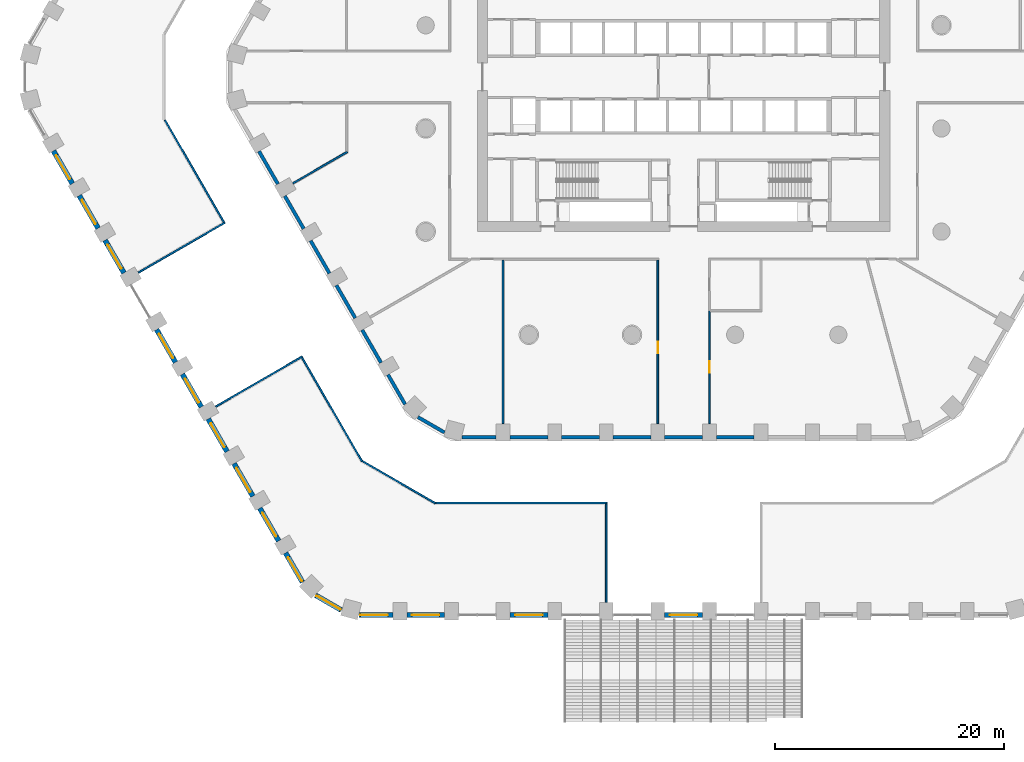
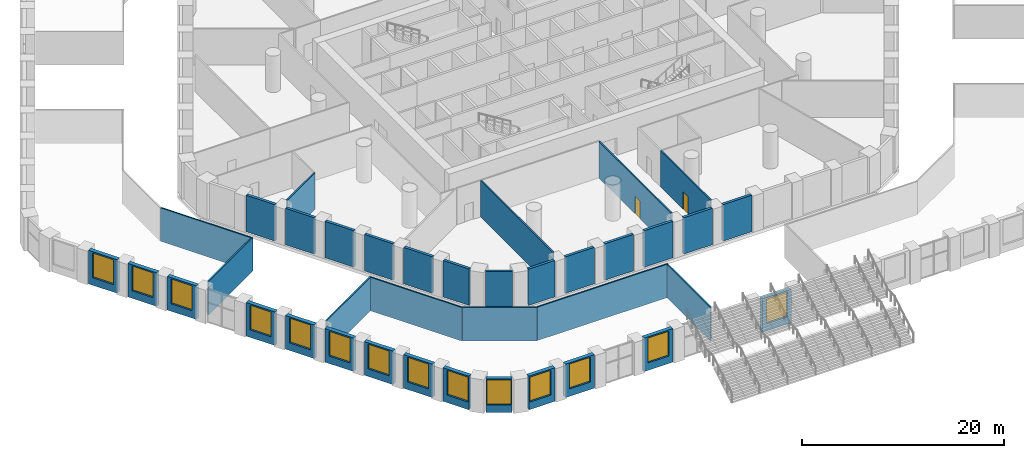
# One storey, part 17 of 42: 38 walls, 14 windows, 2 doors, 16 openings.
"""IFC4 building model written with IfcOpenShell, lengths in metres."""

import ifcopenshell
import ifcopenshell.guid

model = None  # the IFC model being written
_history = None  # IfcOwnerHistory: only IFC2X3 demands one
_inside = {}  # id of a spatial element -> (the spatial element, [elements in it])
_under = {}  # id of a project, library or spatial element -> (it, [spatial elements below it])
_declared = {}  # id of a project -> (the project, [libraries it declares])
_typed = {}  # id of a type object -> (the type object, [elements of that type])
_made_of = {}  # id of a material, layer set ... -> (it, [elements and type objects made of it])


def new_model(schema):
    """Start an empty IFC model of exactly this schema.

    Asked for "IFC4X3", IfcOpenShell would pick the latest addendum, in which some entities
    have other attributes; the version numbers below select the first issue.
    IFC2X3 requires an IfcOwnerHistory on every rooted entity: one is made here for all.
    """
    global model, _history
    if schema == "IFC4X3":
        model = ifcopenshell.file(schema_version=(4, 3, 0, 0))
    else:
        model = ifcopenshell.file(schema=schema)
    _inside.clear()
    _under.clear()
    _declared.clear()
    _typed.clear()
    _made_of.clear()
    _history = None
    if model.schema == "IFC2X3":
        org = make("IfcOrganization", Name="unknown")
        user = make(
            "IfcPersonAndOrganization",
            ThePerson=make("IfcPerson", FamilyName="unknown"),
            TheOrganization=org,
        )
        app = make(
            "IfcApplication",
            ApplicationDeveloper=org,
            Version="unknown",
            ApplicationFullName="unknown",
            ApplicationIdentifier="unknown",
        )
        _history = make(
            "IfcOwnerHistory",
            OwningUser=user,
            OwningApplication=app,
            ChangeAction="ADDED",
            CreationDate=0,
        )
    return model


def make(cls, **values):
    """One entity of the class cls with the attributes given. An attribute that is None is left unset."""
    return model.create_entity(
        cls, **{name: value for name, value in values.items() if value is not None}
    )


def rooted(cls, **values):
    """An entity with a GlobalId (a new one), such as an element, a storey or a relation."""
    return make(cls, GlobalId=ifcopenshell.guid.new(), OwnerHistory=_history, **values)


def si_unit(unit_type, name, prefix=None):
    """IfcSIUnit, for example si_unit("LENGTHUNIT", "METRE", prefix="MILLI")."""
    return make("IfcSIUnit", UnitType=unit_type, Prefix=prefix, Name=name)


def assignment(units):
    """IfcUnitAssignment: the units of a project."""
    return None if units is None else make("IfcUnitAssignment", Units=units)


def point(xyz):
    """IfcCartesianPoint."""
    return None if xyz is None else make("IfcCartesianPoint", Coordinates=xyz)


def direction(xyz):
    """IfcDirection."""
    return None if xyz is None else make("IfcDirection", DirectionRatios=xyz)


def frame(location, z_axis=None, x_axis=None):
    """IfcAxis2Placement3D, a coordinate frame: its origin and axes. An axis left out is left unset."""
    return make(
        "IfcAxis2Placement3D",
        Location=point(location),
        Axis=direction(z_axis),
        RefDirection=direction(x_axis),
    )


def frame_2d(location, x_axis=None):
    """IfcAxis2Placement2D, a coordinate frame in the plane: its origin and x axis."""
    return make(
        "IfcAxis2Placement2D", Location=point(location), RefDirection=direction(x_axis)
    )


def origin():
    """The frame at (0, 0, 0) with its axes left unset."""
    return frame((0.0, 0.0, 0.0))


def place(relative_to, where):
    """IfcLocalPlacement: puts the frame where relative to a parent placement (None: the world)."""
    return make(
        "IfcLocalPlacement", PlacementRelTo=relative_to, RelativePlacement=where
    )


def context(
    kind, dimensions, precision=None, world=None, true_north=None, identifier=None
):
    """IfcGeometricRepresentationContext, for example the 3D "Model" context."""
    return make(
        "IfcGeometricRepresentationContext",
        ContextIdentifier=identifier,
        ContextType=kind,
        CoordinateSpaceDimension=dimensions,
        Precision=precision,
        WorldCoordinateSystem=world,
        TrueNorth=true_north,
    )


def subcontext(parent, identifier, kind, view, scale=None):
    """IfcGeometricRepresentationSubContext, for example "Body" below "Model"."""
    return make(
        "IfcGeometricRepresentationSubContext",
        ContextIdentifier=identifier,
        ContextType=kind,
        ParentContext=parent,
        TargetScale=scale,
        TargetView=view,
    )


def project(units=None, contexts=None):
    """IfcProject with its units and contexts."""
    return rooted(
        "IfcProject",
        Name="project",
        RepresentationContexts=contexts,
        UnitsInContext=assignment(units),
    )


def spatial(cls, under=None, at=None, **own):
    """A site, building, storey or space (cls), placed at a placement, below another one or the project."""
    s = rooted(cls, ObjectPlacement=at, **own)
    if under is not None:
        _under.setdefault(under.id(), (under, []))[1].append(s)
    return s


def profile(cls, at=None, kind="AREA", **sizes):
    """A parametric profile (cls). Its sizes go by their IFC names, for example OverallWidth=200.0."""
    return make(cls, ProfileType=kind, Position=at, **sizes)


def rectangle(**sizes):
    """IfcRectangleProfileDef."""
    return profile("IfcRectangleProfileDef", **sizes)


def extrude(swept, where, along, depth):
    """IfcExtrudedAreaSolid: the profile swept, set in the frame where, extruded along a direction by depth."""
    return make(
        "IfcExtrudedAreaSolid",
        SweptArea=swept,
        Position=where,
        ExtrudedDirection=direction(along),
        Depth=depth,
    )


def shape(context_of_items, identifier, shape_type, items):
    """IfcShapeRepresentation: the items that make up one representation, for example the "Body"."""
    return make(
        "IfcShapeRepresentation",
        ContextOfItems=context_of_items,
        RepresentationIdentifier=identifier,
        RepresentationType=shape_type,
        Items=items,
    )


def material(Name=None, Category=None):
    """IfcMaterial."""
    return make("IfcMaterial", Name=Name, Category=Category)


def layer(
    of_material, thickness, ventilated=None, Name=None, Category=None, Priority=None
):
    """IfcMaterialLayer: one layer of a wall or slab, of a material (None: an air gap)."""
    return make(
        "IfcMaterialLayer",
        Material=of_material,
        LayerThickness=thickness,
        IsVentilated=ventilated,
        Name=Name,
        Category=Category,
        Priority=Priority,
    )


def layer_set(layers, Name=None):
    """IfcMaterialLayerSet."""
    return make("IfcMaterialLayerSet", MaterialLayers=layers, LayerSetName=Name)


def made_of(thing, what):
    """Note that an element or type object is made of a material, layer set ...; save() writes the relation."""
    if what is not None:
        _made_of.setdefault(what.id(), (what, []))[1].append(thing)
    return thing


def type_object(cls, material=None, **own):
    """A type object (cls), such as IfcWallType, which elements share."""
    return made_of(rooted(cls, **own), material)


def element(
    cls,
    number,
    at=None,
    inside=None,
    cuts=None,
    type_object=None,
    material=None,
    context=None,
    identifier="Body",
    shape_type=None,
    held_by="IfcProductDefinitionShape",
    body=None,
    shapes=None,
    **own,
):
    """One element of the class cls, such as IfcWall. Its Tag is "e" and its number.

    at: its placement. inside: the storey or other place that contains it. cuts: it is an
    opening in that element (IfcRelVoidsElement). A single representation is given by context,
    identifier, shape_type and body (its items); several are given by shapes. held_by: the class
    of the entity that holds the representations. save() writes the other relations.
    """
    e = rooted(cls, Tag="e%d" % number, ObjectPlacement=at, **own)
    if body is not None:
        shapes = [shape(context, identifier, shape_type, body)]
    if shapes is not None:
        e.Representation = make(held_by, Representations=shapes)
    if inside is not None:
        _inside.setdefault(inside.id(), (inside, []))[1].append(e)
    if cuts is not None:
        rooted(
            "IfcRelVoidsElement", RelatingBuildingElement=cuts, RelatedOpeningElement=e
        )
    if type_object is not None:
        _typed.setdefault(type_object.id(), (type_object, []))[1].append(e)
    return made_of(e, material)


def fill(opening, filler):
    """IfcRelFillsElement: the door or window that sits in an opening."""
    return rooted(
        "IfcRelFillsElement",
        RelatingOpeningElement=opening,
        RelatedBuildingElement=filler,
    )


def aggregate(whole, parts):
    """IfcRelAggregates: a whole, such as a stair, and the parts it consists of."""
    return rooted("IfcRelAggregates", RelatingObject=whole, RelatedObjects=parts)


def save(model, path):
    """Write the relations noted so far, then the file.

    IfcRelAggregates (storeys below a building ...), IfcRelContainedInSpatialStructure (elements
    in a storey), IfcRelDefinesByType, IfcRelAssociatesMaterial and IfcRelDeclares: one each for
    every whole, place, type object, material and project.
    """
    for whole, parts in _under.values():
        aggregate(whole, parts)
    for where, things in _inside.values():
        rooted(
            "IfcRelContainedInSpatialStructure",
            RelatedElements=things,
            RelatingStructure=where,
        )
    for kind, things in _typed.values():
        rooted("IfcRelDefinesByType", RelatedObjects=things, RelatingType=kind)
    for what, things in _made_of.values():
        rooted("IfcRelAssociatesMaterial", RelatedObjects=things, RelatingMaterial=what)
    for by, libraries in _declared.values():
        rooted("IfcRelDeclares", RelatingContext=by, RelatedDefinitions=libraries)
    model.write(path)


model = new_model("IFC4")

# Units and contexts
model_context = context("Model", 3, precision=1e-05, world=origin(), true_north=direction((0.0, 1.0)))
body_context = subcontext(model_context, "Body", "Model", "MODEL_VIEW")
ifc_project = project(units=[si_unit("LENGTHUNIT", "METRE"), si_unit("AREAUNIT", "SQUARE_METRE"), si_unit("VOLUMEUNIT", "CUBIC_METRE"), si_unit("PLANEANGLEUNIT", "RADIAN"), si_unit("MASSUNIT", "GRAM", prefix="KILO")], contexts=[model_context])

# Site, building, storey
site_placement = place(None, origin())
site = spatial("IfcSite", under=ifc_project, at=site_placement, CompositionType="ELEMENT")
building_placement = place(site_placement, origin())
building = spatial("IfcBuilding", under=site, at=building_placement, Name="Dhurran Vertical Campus", CompositionType="ELEMENT")
storey_placement = place(building_placement, frame((0.0, 0.0, 6.0)))
storey = spatial("IfcBuildingStorey", under=building, at=storey_placement, Name="L01", CompositionType="ELEMENT", Elevation=6.0)

# Wall, opening, window
ifc_material_1 = material(Name="Precast concrete C50/60", Category="concrete")
ifc_layer_1 = layer(ifc_material_1, 0.449951171875)
ifc_layer_set_1 = layer_set([ifc_layer_1], Name="Precast concrete C50/60")
wall_type_1 = type_object("IfcWallType", Name="Precast base wall 450", PredefinedType="SOLIDWALL", material=ifc_layer_set_1)
wall_1_placement = place(storey_placement, frame((-28.299072265625, -46.943359375, 0.0), z_axis=(0.0, 0.0, 1.0), x_axis=(1.0, 0.0, 0.0)))
wall_1 = element("IfcWall", 1, at=wall_1_placement, inside=storey, type_object=wall_type_1, Name="EW2 L01.00 ring", PredefinedType="SOLIDWALL", context=body_context, shape_type="SweptSolid", body=[
    extrude(rectangle(XDim=2.948486328125, YDim=0.449951171875, at=frame_2d((1.47412109375, 0.0))), origin(), (0.0, 0.0, 1.0), 4.050048828125),
])
opening_1_placement = place(wall_1_placement, frame((0.09912109375, 0.0, 0.89990234375)))
opening_1 = element("IfcOpeningElement", 2, at=opening_1_placement, cuts=wall_1, Name="Opening WT2", PredefinedType="OPENING", context=body_context, shape_type="SweptSolid", body=[
    extrude(rectangle(XDim=2.39990234375, YDim=3.0, at=frame_2d((1.199951171875, 1.5))), frame((0.0, 0.23486328125, 0.0), z_axis=(0.0, -1.0, 0.0), x_axis=(1.0, 0.0, 0.0)), (0.0, 0.0, 1.0), 0.469970703125),
])
ifc_material_2 = material(Name="Aluminium frame with solar-control glass", Category="aluminium")
window_type = type_object("IfcWindowType", Name="Podium window 2400 x 3000", PartitioningType="SINGLE_PANEL", PredefinedType="WINDOW", material=ifc_material_2)
window_1_placement = place(opening_1_placement, origin())
window_1 = element("IfcWindow", 3, at=window_1_placement, inside=storey, type_object=window_type, Name="WT2 L01.00 ring", OverallHeight=3.0, OverallWidth=2.39990234375, PartitioningType="SINGLE_PANEL", PredefinedType="WINDOW", context=body_context, shape_type="SweptSolid", body=[
    extrude(rectangle(XDim=2.39990234375, YDim=3.0, at=frame_2d((1.199951171875, 1.5))), frame((0.0, 0.030029296875, 0.0), z_axis=(0.0, -1.0, 0.0), x_axis=(1.0, 0.0, 0.0)), (0.0, 0.0, 1.0), 0.06005859375),
])
fill(opening_1, window_1)

wall_2_placement = place(storey_placement, frame((-24.1494140625, -46.943359375, 0.0), z_axis=(0.0, 0.0, 1.0), x_axis=(1.0, 0.0, 0.0)))
wall_2 = element("IfcWall", 4, at=wall_2_placement, inside=storey, type_object=wall_type_1, Name="EW2 L01.01 ring", PredefinedType="SOLIDWALL", context=body_context, shape_type="SweptSolid", body=[
    extrude(rectangle(XDim=3.298828125, YDim=0.449951171875, at=frame_2d((1.6494140625, 0.0))), origin(), (0.0, 0.0, 1.0), 4.050048828125),
])
opening_2_placement = place(wall_2_placement, frame((0.449462890625, 0.0, 0.89990234375)))
opening_2 = element("IfcOpeningElement", 5, at=opening_2_placement, cuts=wall_2, Name="Opening WT2", PredefinedType="OPENING", context=body_context, shape_type="SweptSolid", body=[
    extrude(rectangle(XDim=2.39990234375, YDim=3.0, at=frame_2d((1.199951171875, 1.5))), frame((0.0, 0.23486328125, 0.0), z_axis=(0.0, -1.0, 0.0), x_axis=(1.0, 0.0, 0.0)), (0.0, 0.0, 1.0), 0.469970703125),
])
window_2_placement = place(opening_2_placement, origin())
window_2 = element("IfcWindow", 6, at=window_2_placement, inside=storey, type_object=window_type, Name="WT2 L01.01 ring", OverallHeight=3.0, OverallWidth=2.39990234375, PartitioningType="SINGLE_PANEL", PredefinedType="WINDOW", context=body_context, shape_type="SweptSolid", body=[
    extrude(rectangle(XDim=2.39990234375, YDim=3.0, at=frame_2d((1.199951171875, 1.5))), frame((0.0, 0.030029296875, 0.0), z_axis=(0.0, -1.0, 0.0), x_axis=(1.0, 0.0, 0.0)), (0.0, 0.0, 1.0), 0.06005859375),
])
fill(opening_2, window_2)

wall_3_placement = place(storey_placement, frame((-11.8505859375, -46.943359375, 0.0), z_axis=(0.0, 0.0, 1.0), x_axis=(-1.0, 0.0, 0.0)))
wall_3 = element("IfcWall", 7, at=wall_3_placement, inside=storey, type_object=wall_type_1, Name="EW2 L01.03 ring", PredefinedType="SOLIDWALL", context=body_context, shape_type="SweptSolid", body=[
    extrude(rectangle(XDim=3.298828125, YDim=0.449951171875, at=frame_2d((1.6494140625, 0.0))), origin(), (0.0, 0.0, 1.0), 4.050048828125),
])
opening_3_placement = place(wall_3_placement, frame((0.449462890625, 0.0, 0.89990234375)))
opening_3 = element("IfcOpeningElement", 8, at=opening_3_placement, cuts=wall_3, Name="Opening WT2", PredefinedType="OPENING", context=body_context, shape_type="SweptSolid", body=[
    extrude(rectangle(XDim=2.39990234375, YDim=3.0, at=frame_2d((1.199951171875, 1.5))), frame((0.0, 0.23486328125, 0.0), z_axis=(0.0, -1.0, 0.0), x_axis=(1.0, 0.0, 0.0)), (0.0, 0.0, 1.0), 0.469970703125),
])
window_3_placement = place(opening_3_placement, origin())
window_3 = element("IfcWindow", 9, at=window_3_placement, inside=storey, type_object=window_type, Name="WT2 L01.03 ring", OverallHeight=3.0, OverallWidth=2.39990234375, PartitioningType="SINGLE_PANEL", PredefinedType="WINDOW", context=body_context, shape_type="SweptSolid", body=[
    extrude(rectangle(XDim=2.39990234375, YDim=3.0, at=frame_2d((1.199951171875, 1.5))), frame((0.0, 0.030029296875, 0.0), z_axis=(0.0, -1.0, 0.0), x_axis=(1.0, 0.0, 0.0)), (0.0, 0.0, 1.0), 0.06005859375),
])
fill(opening_3, window_3)

wall_4_placement = place(storey_placement, frame((1.6494140625, -46.943359375, 0.0), z_axis=(0.0, 0.0, 1.0), x_axis=(-1.0, 0.0, 0.0)))
wall_4 = element("IfcWall", 10, at=wall_4_placement, inside=storey, type_object=wall_type_1, Name="EW2 L01.06 ring", PredefinedType="SOLIDWALL", context=body_context, shape_type="SweptSolid", body=[
    extrude(rectangle(XDim=3.298828125, YDim=0.449951171875, at=frame_2d((1.6494140625, 0.0))), origin(), (0.0, 0.0, 1.0), 4.050048828125),
])
opening_4_placement = place(wall_4_placement, frame((0.449462890625, 0.0, 0.89990234375)))
opening_4 = element("IfcOpeningElement", 11, at=opening_4_placement, cuts=wall_4, Name="Opening WT2", PredefinedType="OPENING", context=body_context, shape_type="SweptSolid", body=[
    extrude(rectangle(XDim=2.39990234375, YDim=3.0, at=frame_2d((1.199951171875, 1.5))), frame((0.0, 0.23486328125, 0.0), z_axis=(0.0, -1.0, 0.0), x_axis=(1.0, 0.0, 0.0)), (0.0, 0.0, 1.0), 0.469970703125),
])
window_4_placement = place(opening_4_placement, origin())
window_4 = element("IfcWindow", 12, at=window_4_placement, inside=storey, type_object=window_type, Name="WT2 L01.06 ring", OverallHeight=3.0, OverallWidth=2.39990234375, PartitioningType="SINGLE_PANEL", PredefinedType="WINDOW", context=body_context, shape_type="SweptSolid", body=[
    extrude(rectangle(XDim=2.39990234375, YDim=3.0, at=frame_2d((1.199951171875, 1.5))), frame((0.0, 0.030029296875, 0.0), z_axis=(0.0, -1.0, 0.0), x_axis=(1.0, 0.0, 0.0)), (0.0, 0.0, 1.0), 0.06005859375),
])
fill(opening_4, window_4)

wall_5_placement = place(storey_placement, frame((-54.978759765625, -6.45458984375, 0.0), z_axis=(0.0, 0.0, 1.0), x_axis=(0.49995947208, -0.866048801325, 0.0)))
wall_5 = element("IfcWall", 13, at=wall_5_placement, inside=storey, type_object=wall_type_1, Name="EW2 L01.65 ring", PredefinedType="SOLIDWALL", context=body_context, shape_type="SweptSolid", body=[
    extrude(rectangle(XDim=3.299072265625, YDim=0.449951171875, at=frame_2d((1.6494140625, 0.0))), origin(), (0.0, 0.0, 1.0), 4.050048828125),
])
opening_5_placement = place(wall_5_placement, frame((0.449462890625, 0.0, 0.89990234375)))
opening_5 = element("IfcOpeningElement", 14, at=opening_5_placement, cuts=wall_5, Name="Opening WT2", PredefinedType="OPENING", context=body_context, shape_type="SweptSolid", body=[
    extrude(rectangle(XDim=2.39990234375, YDim=3.0, at=frame_2d((1.199951171875, 1.5))), frame((0.0, 0.23486328125, 0.0), z_axis=(0.0, -1.0, 0.0), x_axis=(1.0, 0.0, 0.0)), (0.0, 0.0, 1.0), 0.469970703125),
])
window_5_placement = place(opening_5_placement, origin())
window_5 = element("IfcWindow", 15, at=window_5_placement, inside=storey, type_object=window_type, Name="WT2 L01.65 ring", OverallHeight=3.0, OverallWidth=2.39990234375, PartitioningType="SINGLE_PANEL", PredefinedType="WINDOW", context=body_context, shape_type="SweptSolid", body=[
    extrude(rectangle(XDim=2.39990234375, YDim=3.0, at=frame_2d((1.199951171875, 1.5))), frame((0.0, 0.030029296875, 0.0), z_axis=(0.0, -1.0, 0.0), x_axis=(1.0, 0.0, 0.0)), (0.0, 0.0, 1.0), 0.06005859375),
])
fill(opening_5, window_5)

wall_6_placement = place(storey_placement, frame((-52.728759765625, -10.351806640625, 0.0), z_axis=(0.0, 0.0, 1.0), x_axis=(0.499991515992, -0.866030301974, 0.0)))
wall_6 = element("IfcWall", 16, at=wall_6_placement, inside=storey, type_object=wall_type_1, Name="EW2 L01.66 ring", PredefinedType="SOLIDWALL", context=body_context, shape_type="SweptSolid", body=[
    extrude(rectangle(XDim=3.298828125, YDim=0.449951171875, at=frame_2d((1.6494140625, 0.0))), origin(), (0.0, 0.0, 1.0), 4.050048828125),
])
opening_6_placement = place(wall_6_placement, frame((0.449462890625, 0.0, 0.89990234375)))
opening_6 = element("IfcOpeningElement", 17, at=opening_6_placement, cuts=wall_6, Name="Opening WT2", PredefinedType="OPENING", context=body_context, shape_type="SweptSolid", body=[
    extrude(rectangle(XDim=2.39990234375, YDim=3.0, at=frame_2d((1.199951171875, 1.5))), frame((0.0, 0.23486328125, 0.0), z_axis=(0.0, -1.0, 0.0), x_axis=(1.0, 0.0, 0.0)), (0.0, 0.0, 1.0), 0.469970703125),
])
window_6_placement = place(opening_6_placement, origin())
window_6 = element("IfcWindow", 18, at=window_6_placement, inside=storey, type_object=window_type, Name="WT2 L01.66 ring", OverallHeight=3.0, OverallWidth=2.39990234375, PartitioningType="SINGLE_PANEL", PredefinedType="WINDOW", context=body_context, shape_type="SweptSolid", body=[
    extrude(rectangle(XDim=2.39990234375, YDim=3.0, at=frame_2d((1.199951171875, 1.5))), frame((0.0, 0.030029296875, 0.0), z_axis=(0.0, -1.0, 0.0), x_axis=(1.0, 0.0, 0.0)), (0.0, 0.0, 1.0), 0.06005859375),
])
fill(opening_6, window_6)

wall_7_placement = place(storey_placement, frame((-50.478759765625, -14.248779296875, 0.0), z_axis=(0.0, 0.0, 1.0), x_axis=(0.49995947208, -0.866048801325, 0.0)))
wall_7 = element("IfcWall", 19, at=wall_7_placement, inside=storey, type_object=wall_type_1, Name="EW2 L01.67 ring", PredefinedType="SOLIDWALL", context=body_context, shape_type="SweptSolid", body=[
    extrude(rectangle(XDim=3.299072265625, YDim=0.449951171875, at=frame_2d((1.6494140625, 0.0))), origin(), (0.0, 0.0, 1.0), 4.050048828125),
])
opening_7_placement = place(wall_7_placement, frame((0.449462890625, 0.0, 0.89990234375)))
opening_7 = element("IfcOpeningElement", 20, at=opening_7_placement, cuts=wall_7, Name="Opening WT2", PredefinedType="OPENING", context=body_context, shape_type="SweptSolid", body=[
    extrude(rectangle(XDim=2.39990234375, YDim=3.0, at=frame_2d((1.199951171875, 1.5))), frame((0.0, 0.23486328125, 0.0), z_axis=(0.0, -1.0, 0.0), x_axis=(1.0, 0.0, 0.0)), (0.0, 0.0, 1.0), 0.469970703125),
])
window_7_placement = place(opening_7_placement, origin())
window_7 = element("IfcWindow", 21, at=window_7_placement, inside=storey, type_object=window_type, Name="WT2 L01.67 ring", OverallHeight=3.0, OverallWidth=2.39990234375, PartitioningType="SINGLE_PANEL", PredefinedType="WINDOW", context=body_context, shape_type="SweptSolid", body=[
    extrude(rectangle(XDim=2.39990234375, YDim=3.0, at=frame_2d((1.199951171875, 1.5))), frame((0.0, 0.030029296875, 0.0), z_axis=(0.0, -1.0, 0.0), x_axis=(1.0, 0.0, 0.0)), (0.0, 0.0, 1.0), 0.06005859375),
])
fill(opening_7, window_7)

wall_8_placement = place(storey_placement, frame((-44.329345703125, -24.900146484375, 0.0), z_axis=(0.0, 0.0, 1.0), x_axis=(-0.499991515992, 0.866030301974, 0.0)))
wall_8 = element("IfcWall", 22, at=wall_8_placement, inside=storey, type_object=wall_type_1, Name="EW2 L01.69 ring", PredefinedType="SOLIDWALL", context=body_context, shape_type="SweptSolid", body=[
    extrude(rectangle(XDim=3.298828125, YDim=0.449951171875, at=frame_2d((1.6494140625, 0.0))), origin(), (0.0, 0.0, 1.0), 4.050048828125),
])
opening_8_placement = place(wall_8_placement, frame((0.449462890625, 0.0, 0.89990234375)))
opening_8 = element("IfcOpeningElement", 23, at=opening_8_placement, cuts=wall_8, Name="Opening WT2", PredefinedType="OPENING", context=body_context, shape_type="SweptSolid", body=[
    extrude(rectangle(XDim=2.39990234375, YDim=3.0, at=frame_2d((1.199951171875, 1.5))), frame((0.0, 0.23486328125, 0.0), z_axis=(0.0, -1.0, 0.0), x_axis=(1.0, 0.0, 0.0)), (0.0, 0.0, 1.0), 0.469970703125),
])
window_8_placement = place(opening_8_placement, origin())
window_8 = element("IfcWindow", 24, at=window_8_placement, inside=storey, type_object=window_type, Name="WT2 L01.69 ring", OverallHeight=3.0, OverallWidth=2.39990234375, PartitioningType="SINGLE_PANEL", PredefinedType="WINDOW", context=body_context, shape_type="SweptSolid", body=[
    extrude(rectangle(XDim=2.39990234375, YDim=3.0, at=frame_2d((1.199951171875, 1.5))), frame((0.0, 0.030029296875, 0.0), z_axis=(0.0, -1.0, 0.0), x_axis=(1.0, 0.0, 0.0)), (0.0, 0.0, 1.0), 0.06005859375),
])
fill(opening_8, window_8)

wall_9_placement = place(storey_placement, frame((-43.728759765625, -25.940185546875, 0.0), z_axis=(0.0, 0.0, 1.0), x_axis=(0.49995947208, -0.866048801325, 0.0)))
wall_9 = element("IfcWall", 25, at=wall_9_placement, inside=storey, type_object=wall_type_1, Name="EW2 L01.70 ring", PredefinedType="SOLIDWALL", context=body_context, shape_type="SweptSolid", body=[
    extrude(rectangle(XDim=3.299072265625, YDim=0.449951171875, at=frame_2d((1.6494140625, 0.0))), origin(), (0.0, 0.0, 1.0), 4.050048828125),
])
opening_9_placement = place(wall_9_placement, frame((0.449462890625, 0.0, 0.89990234375)))
opening_9 = element("IfcOpeningElement", 26, at=opening_9_placement, cuts=wall_9, Name="Opening WT2", PredefinedType="OPENING", context=body_context, shape_type="SweptSolid", body=[
    extrude(rectangle(XDim=2.39990234375, YDim=3.0, at=frame_2d((1.199951171875, 1.5))), frame((0.0, 0.23486328125, 0.0), z_axis=(0.0, -1.0, 0.0), x_axis=(1.0, 0.0, 0.0)), (0.0, 0.0, 1.0), 0.469970703125),
])
window_9_placement = place(opening_9_placement, origin())
window_9 = element("IfcWindow", 27, at=window_9_placement, inside=storey, type_object=window_type, Name="WT2 L01.70 ring", OverallHeight=3.0, OverallWidth=2.39990234375, PartitioningType="SINGLE_PANEL", PredefinedType="WINDOW", context=body_context, shape_type="SweptSolid", body=[
    extrude(rectangle(XDim=2.39990234375, YDim=3.0, at=frame_2d((1.199951171875, 1.5))), frame((0.0, 0.030029296875, 0.0), z_axis=(0.0, -1.0, 0.0), x_axis=(1.0, 0.0, 0.0)), (0.0, 0.0, 1.0), 0.06005859375),
])
fill(opening_9, window_9)

wall_10_placement = place(storey_placement, frame((-41.478759765625, -29.83740234375, 0.0), z_axis=(0.0, 0.0, 1.0), x_axis=(0.499991515992, -0.866030301974, 0.0)))
wall_10 = element("IfcWall", 28, at=wall_10_placement, inside=storey, type_object=wall_type_1, Name="EW2 L01.71 ring", PredefinedType="SOLIDWALL", context=body_context, shape_type="SweptSolid", body=[
    extrude(rectangle(XDim=3.298828125, YDim=0.449951171875, at=frame_2d((1.6494140625, 0.0))), origin(), (0.0, 0.0, 1.0), 4.050048828125),
])
opening_10_placement = place(wall_10_placement, frame((0.449462890625, 0.0, 0.89990234375)))
opening_10 = element("IfcOpeningElement", 29, at=opening_10_placement, cuts=wall_10, Name="Opening WT2", PredefinedType="OPENING", context=body_context, shape_type="SweptSolid", body=[
    extrude(rectangle(XDim=2.39990234375, YDim=3.0, at=frame_2d((1.199951171875, 1.5))), frame((0.0, 0.23486328125, 0.0), z_axis=(0.0, -1.0, 0.0), x_axis=(1.0, 0.0, 0.0)), (0.0, 0.0, 1.0), 0.469970703125),
])
window_10_placement = place(opening_10_placement, origin())
window_10 = element("IfcWindow", 30, at=window_10_placement, inside=storey, type_object=window_type, Name="WT2 L01.71 ring", OverallHeight=3.0, OverallWidth=2.39990234375, PartitioningType="SINGLE_PANEL", PredefinedType="WINDOW", context=body_context, shape_type="SweptSolid", body=[
    extrude(rectangle(XDim=2.39990234375, YDim=3.0, at=frame_2d((1.199951171875, 1.5))), frame((0.0, 0.030029296875, 0.0), z_axis=(0.0, -1.0, 0.0), x_axis=(1.0, 0.0, 0.0)), (0.0, 0.0, 1.0), 0.06005859375),
])
fill(opening_10, window_10)

wall_11_placement = place(storey_placement, frame((-39.228759765625, -33.734619140625, 0.0), z_axis=(0.0, 0.0, 1.0), x_axis=(0.499991515992, -0.866030301974, 0.0)))
wall_11 = element("IfcWall", 31, at=wall_11_placement, inside=storey, type_object=wall_type_1, Name="EW2 L01.72 ring", PredefinedType="SOLIDWALL", context=body_context, shape_type="SweptSolid", body=[
    extrude(rectangle(XDim=3.298828125, YDim=0.449951171875, at=frame_2d((1.6494140625, 0.0))), origin(), (0.0, 0.0, 1.0), 4.050048828125),
])
opening_11_placement = place(wall_11_placement, frame((0.449462890625, 0.0, 0.89990234375)))
opening_11 = element("IfcOpeningElement", 32, at=opening_11_placement, cuts=wall_11, Name="Opening WT2", PredefinedType="OPENING", context=body_context, shape_type="SweptSolid", body=[
    extrude(rectangle(XDim=2.39990234375, YDim=3.0, at=frame_2d((1.199951171875, 1.5))), frame((0.0, 0.23486328125, 0.0), z_axis=(0.0, -1.0, 0.0), x_axis=(1.0, 0.0, 0.0)), (0.0, 0.0, 1.0), 0.469970703125),
])
window_11_placement = place(opening_11_placement, origin())
window_11 = element("IfcWindow", 33, at=window_11_placement, inside=storey, type_object=window_type, Name="WT2 L01.72 ring", OverallHeight=3.0, OverallWidth=2.39990234375, PartitioningType="SINGLE_PANEL", PredefinedType="WINDOW", context=body_context, shape_type="SweptSolid", body=[
    extrude(rectangle(XDim=2.39990234375, YDim=3.0, at=frame_2d((1.199951171875, 1.5))), frame((0.0, 0.030029296875, 0.0), z_axis=(0.0, -1.0, 0.0), x_axis=(1.0, 0.0, 0.0)), (0.0, 0.0, 1.0), 0.06005859375),
])
fill(opening_11, window_11)

wall_12_placement = place(storey_placement, frame((-36.978759765625, -37.631591796875, 0.0), z_axis=(0.0, 0.0, 1.0), x_axis=(0.499991515992, -0.866030301974, 0.0)))
wall_12 = element("IfcWall", 34, at=wall_12_placement, inside=storey, type_object=wall_type_1, Name="EW2 L01.73 ring", PredefinedType="SOLIDWALL", context=body_context, shape_type="SweptSolid", body=[
    extrude(rectangle(XDim=3.298828125, YDim=0.449951171875, at=frame_2d((1.6494140625, 0.0))), origin(), (0.0, 0.0, 1.0), 4.050048828125),
])
opening_12_placement = place(wall_12_placement, frame((0.449462890625, 0.0, 0.89990234375)))
opening_12 = element("IfcOpeningElement", 35, at=opening_12_placement, cuts=wall_12, Name="Opening WT2", PredefinedType="OPENING", context=body_context, shape_type="SweptSolid", body=[
    extrude(rectangle(XDim=2.39990234375, YDim=3.0, at=frame_2d((1.199951171875, 1.5))), frame((0.0, 0.23486328125, 0.0), z_axis=(0.0, -1.0, 0.0), x_axis=(1.0, 0.0, 0.0)), (0.0, 0.0, 1.0), 0.469970703125),
])
window_12_placement = place(opening_12_placement, origin())
window_12 = element("IfcWindow", 36, at=window_12_placement, inside=storey, type_object=window_type, Name="WT2 L01.73 ring", OverallHeight=3.0, OverallWidth=2.39990234375, PartitioningType="SINGLE_PANEL", PredefinedType="WINDOW", context=body_context, shape_type="SweptSolid", body=[
    extrude(rectangle(XDim=2.39990234375, YDim=3.0, at=frame_2d((1.199951171875, 1.5))), frame((0.0, 0.030029296875, 0.0), z_axis=(0.0, -1.0, 0.0), x_axis=(1.0, 0.0, 0.0)), (0.0, 0.0, 1.0), 0.06005859375),
])
fill(opening_12, window_12)

wall_13_placement = place(storey_placement, frame((-34.728759765625, -41.52880859375, 0.0), z_axis=(0.0, 0.0, 1.0), x_axis=(0.500030648271, -0.866007708274, 0.0)))
wall_13 = element("IfcWall", 37, at=wall_13_placement, inside=storey, type_object=wall_type_1, Name="EW2 L01.74 ring", PredefinedType="SOLIDWALL", context=body_context, shape_type="SweptSolid", body=[
    extrude(rectangle(XDim=2.948486328125, YDim=0.449951171875, at=frame_2d((1.47412109375, 0.0))), origin(), (0.0, 0.0, 1.0), 4.050048828125),
])
opening_13_placement = place(wall_13_placement, frame((0.449462890625, 0.0, 0.89990234375)))
opening_13 = element("IfcOpeningElement", 38, at=opening_13_placement, cuts=wall_13, Name="Opening WT2", PredefinedType="OPENING", context=body_context, shape_type="SweptSolid", body=[
    extrude(rectangle(XDim=2.39990234375, YDim=3.0, at=frame_2d((1.199951171875, 1.5))), frame((0.0, 0.23486328125, 0.0), z_axis=(0.0, -1.0, 0.0), x_axis=(1.0, 0.0, 0.0)), (0.0, 0.0, 1.0), 0.469970703125),
])
window_13_placement = place(opening_13_placement, origin())
window_13 = element("IfcWindow", 39, at=window_13_placement, inside=storey, type_object=window_type, Name="WT2 L01.74 ring", OverallHeight=3.0, OverallWidth=2.39990234375, PartitioningType="SINGLE_PANEL", PredefinedType="WINDOW", context=body_context, shape_type="SweptSolid", body=[
    extrude(rectangle(XDim=2.39990234375, YDim=3.0, at=frame_2d((1.199951171875, 1.5))), frame((0.0, 0.030029296875, 0.0), z_axis=(0.0, -1.0, 0.0), x_axis=(1.0, 0.0, 0.0)), (0.0, 0.0, 1.0), 0.06005859375),
])
fill(opening_13, window_13)

wall_14_placement = place(storey_placement, frame((-32.111083984375, -45.2255859375, 0.0), z_axis=(0.0, 0.0, 1.0), x_axis=(0.866019710441, -0.50000986103, 0.0)))
wall_14 = element("IfcWall", 40, at=wall_14_placement, inside=storey, type_object=wall_type_1, Name="EW2 L01.75 ring", PredefinedType="SOLIDWALL", context=body_context, shape_type="SweptSolid", body=[
    extrude(rectangle(XDim=2.59814453125, YDim=0.449951171875, at=frame_2d((1.299072265625, 0.0))), origin(), (0.0, 0.0, 1.0), 4.050048828125),
])
opening_14_placement = place(wall_14_placement, frame((0.09912109375, 0.0, 0.89990234375)))
opening_14 = element("IfcOpeningElement", 41, at=opening_14_placement, cuts=wall_14, Name="Opening WT2", PredefinedType="OPENING", context=body_context, shape_type="SweptSolid", body=[
    extrude(rectangle(XDim=2.39990234375, YDim=3.0, at=frame_2d((1.199951171875, 1.5))), frame((0.0, 0.23486328125, 0.0), z_axis=(0.0, -1.0, 0.0), x_axis=(1.0, 0.0, 0.0)), (0.0, 0.0, 1.0), 0.469970703125),
])
window_14_placement = place(opening_14_placement, origin())
window_14 = element("IfcWindow", 42, at=window_14_placement, inside=storey, type_object=window_type, Name="WT2 L01.75 ring", OverallHeight=3.0, OverallWidth=2.39990234375, PartitioningType="SINGLE_PANEL", PredefinedType="WINDOW", context=body_context, shape_type="SweptSolid", body=[
    extrude(rectangle(XDim=2.39990234375, YDim=3.0, at=frame_2d((1.199951171875, 1.5))), frame((0.0, 0.030029296875, 0.0), z_axis=(0.0, -1.0, 0.0), x_axis=(1.0, 0.0, 0.0)), (0.0, 0.0, 1.0), 0.06005859375),
])
fill(opening_14, window_14)

# Walls
ifc_material_3 = material(Name="Precast concrete C50/60", Category="concrete")
ifc_layer_2 = layer(ifc_material_3, 0.300048828125)
ifc_layer_set_2 = layer_set([ifc_layer_2], Name="Precast concrete C50/60")
wall_type_2 = type_object("IfcWallType", Name="Precast interior wall 300", PredefinedType="SOLIDWALL", material=ifc_layer_set_2)
wall_15_placement = place(storey_placement, frame((-19.33935546875, -31.4296875, 0.0), z_axis=(0.0, 0.0, 1.0), x_axis=(1.0, 0.0, 0.0)))
element("IfcWall", 43, at=wall_15_placement, inside=storey, type_object=wall_type_2, Name="EW5 L01.00", PredefinedType="SOLIDWALL", context=body_context, shape_type="SweptSolid", body=[
    extrude(rectangle(XDim=2.98876953125, YDim=0.300048828125, at=frame_2d((1.494384765625, 0.0))), origin(), (0.0, 0.0, 1.0), 4.39990234375),
])
for number, where, z_axis, x_axis, name in (
    (44, (-15.1494140625, -31.4296875, 0.0), (0.0, 0.0, 1.0), (1.0, 0.0, 0.0), "EW5 L01.01"),
    (45, (-10.6494140625, -31.4296875, 0.0), (0.0, 0.0, 1.0), (1.0, 0.0, 0.0), "EW5 L01.02"),
    (46, (-6.1494140625, -31.4296875, 0.0), (0.0, 0.0, 1.0), (1.0, 0.0, 0.0), "EW5 L01.03"),
    (47, (-1.6494140625, -31.4296875, 0.0), (0.0, 0.0, 1.0), (1.0, 0.0, 0.0), "EW5 L01.04"),
    (48, (2.8505859375, -31.4296875, 0.0), (0.0, 0.0, 1.0), (1.0, 0.0, 0.0), "EW5 L01.05"),
    (49, (-37.043701171875, -6.4921875, 0.0), (0.0, 0.0, 1.0), (0.499991515992, -0.866030301974, 0.0), "EW5 L01.45"),
    (50, (-34.793701171875, -10.389404296875, 0.0), (0.0, 0.0, 1.0), (0.499991515992, -0.866030301974, 0.0), "EW5 L01.46"),
    (51, (-32.543701171875, -14.286376953125, 0.0), (0.0, 0.0, 1.0), (0.499991515992, -0.866030301974, 0.0), "EW5 L01.47"),
    (52, (-30.293701171875, -18.18359375, 0.0), (0.0, 0.0, 1.0), (0.499991515992, -0.866030301974, 0.0), "EW5 L01.48"),
    (53, (-28.043701171875, -22.08056640625, 0.0), (0.0, 0.0, 1.0), (0.499991515992, -0.866030301974, 0.0), "EW5 L01.49"),
):
    element("IfcWall", number, at=place(storey_placement, frame(where, z_axis=z_axis, x_axis=x_axis)), inside=storey, type_object=wall_type_2, Name=name, PredefinedType="SOLIDWALL", context=body_context, shape_type="SweptSolid", body=[
        extrude(rectangle(XDim=3.298828125, YDim=0.300048828125, at=frame_2d((1.6494140625, 0.0))), origin(), (0.0, 0.0, 1.0), 4.39990234375),
    ])
wall_16_placement = place(storey_placement, frame((-25.793701171875, -25.977783203125, 0.0), z_axis=(0.0, 0.0, 1.0), x_axis=(0.49999586137, -0.866027793211, 0.0)))
element("IfcWall", 54, at=wall_16_placement, inside=storey, type_object=wall_type_2, Name="EW5 L01.50", PredefinedType="SOLIDWALL", context=body_context, shape_type="SweptSolid", body=[
    extrude(rectangle(XDim=2.98876953125, YDim=0.300048828125, at=frame_2d((1.494384765625, 0.0))), origin(), (0.0, 0.0, 1.0), 4.39990234375),
])
wall_17_placement = place(storey_placement, frame((-23.183349609375, -29.681884765625, 0.0), z_axis=(0.0, 0.0, 1.0), x_axis=(0.866001915448, -0.500040680786, 0.0)))
element("IfcWall", 55, at=wall_17_placement, inside=storey, type_object=wall_type_2, Name="EW5 L01.51", PredefinedType="SOLIDWALL", context=body_context, shape_type="SweptSolid", body=[
    extrude(rectangle(XDim=2.678466796875, YDim=0.300048828125, at=frame_2d((1.33935546875, 0.0))), origin(), (0.0, 0.0, 1.0), 4.39990234375),
])
ifc_material_4 = material(Name="Gypsum board corridor wall on steel studs", Category="steel")
ifc_layer_3 = layer(ifc_material_4, 0.14990234375)
ifc_layer_set_3 = layer_set([ifc_layer_3], Name="Gypsum board corridor wall on steel studs")
wall_type_3 = type_object("IfcWallType", Name="fl-CW-150 corridor wall", PredefinedType="PARTITIONING", material=ifc_layer_set_3)
wall_18_placement = place(storey_placement, frame((-47.580810546875, -17.078125, 0.0), z_axis=(0.0, 0.0, 1.0), x_axis=(0.866024693403, 0.500001230415, 0.0)))
element("IfcWall", 56, at=wall_18_placement, inside=storey, type_object=wall_type_3, Name="Partition 01-R01", PredefinedType="PARTITIONING", context=body_context, shape_type="SweptSolid", body=[
    extrude(rectangle(XDim=8.7431640625, YDim=0.14990234375, at=frame_2d((4.37158203125, 0.0))), origin(), (0.0, 0.0, 1.0), 4.050048828125),
])
wall_19_placement = place(storey_placement, frame((-40.111572265625, -12.678955078125, 0.0), z_axis=(0.0, 0.0, 1.0), x_axis=(-0.499979704663, 0.866037120986, 0.0)))
element("IfcWall", 57, at=wall_19_placement, inside=storey, type_object=wall_type_3, Name="Partition 01-R04", PredefinedType="PARTITIONING", context=body_context, shape_type="SweptSolid", body=[
    extrude(rectangle(XDim=10.29638671875, YDim=0.14990234375, at=frame_2d((5.148193359375, 0.0))), origin(), (0.0, 0.0, 1.0), 4.050048828125),
])
wall_20_placement = place(storey_placement, frame((-33.259033203125, -24.3984375, 0.0), z_axis=(0.0, 0.0, 1.0), x_axis=(-0.866017712198, -0.500013321982, 0.0)))
element("IfcWall", 58, at=wall_20_placement, inside=storey, type_object=wall_type_3, Name="Partition 01-R06", PredefinedType="PARTITIONING", context=body_context, shape_type="SweptSolid", body=[
    extrude(rectangle(XDim=8.742919921875, YDim=0.14990234375, at=frame_2d((4.37158203125, 0.0))), origin(), (0.0, 0.0, 1.0), 4.050048828125),
])
wall_21_placement = place(storey_placement, frame((-28.0625, -33.5478515625, 0.0), z_axis=(0.0, 0.0, 1.0), x_axis=(-0.500064997195, 0.865987874384, 0.0)))
element("IfcWall", 59, at=wall_21_placement, inside=storey, type_object=wall_type_3, Name="Partition 01-R10", PredefinedType="PARTITIONING", context=body_context, shape_type="SweptSolid", body=[
    extrude(rectangle(XDim=10.44677734375, YDim=0.14990234375, at=frame_2d((5.223388671875, 0.0))), origin(), (0.0, 0.0, 1.0), 4.050048828125),
])
wall_22_placement = place(storey_placement, frame((-21.657958984375, -37.202392578125, 0.0), z_axis=(0.0, 0.0, 1.0), x_axis=(-0.866011067739, 0.500024829938, 0.0)))
element("IfcWall", 60, at=wall_22_placement, inside=storey, type_object=wall_type_3, Name="Partition 01-R18", PredefinedType="PARTITIONING", context=body_context, shape_type="SweptSolid", body=[
    extrude(rectangle(XDim=7.338623046875, YDim=0.14990234375, at=frame_2d((3.66943359375, 0.0))), origin(), (0.0, 0.0, 1.0), 4.050048828125),
])
wall_23_placement = place(storey_placement, frame((-6.675048828125, -37.179931640625, 0.0), z_axis=(0.0, 0.0, 1.0), x_axis=(-1.0, 0.0, 0.0)))
element("IfcWall", 61, at=wall_23_placement, inside=storey, type_object=wall_type_3, Name="Partition 01-R21", PredefinedType="PARTITIONING", context=body_context, shape_type="SweptSolid", body=[
    extrude(rectangle(XDim=14.947021484375, YDim=0.14990234375, at=frame_2d((7.4736328125, 0.0))), origin(), (0.0, 0.0, 1.0), 4.050048828125),
])
wall_24_placement = place(storey_placement, frame((-6.75, -45.848388671875, 0.0), z_axis=(0.0, 0.0, 1.0), x_axis=(0.0, 1.0, 0.0)))
element("IfcWall", 62, at=wall_24_placement, inside=storey, type_object=wall_type_3, Name="Partition 01-R32", PredefinedType="PARTITIONING", context=body_context, shape_type="SweptSolid", body=[
    extrude(rectangle(XDim=8.593505859375, YDim=0.14990234375, at=frame_2d((4.296875, 0.0))), origin(), (0.0, 0.0, 1.0), 4.050048828125),
])

# Wall, opening, door
wall_25_placement = place(storey_placement, frame((-2.25, -30.259765625, 0.0), z_axis=(0.0, 0.0, 1.0), x_axis=(0.0, 1.0, 0.0)))
wall_25 = element("IfcWall", 63, at=wall_25_placement, inside=storey, type_object=wall_type_3, Name="Partition 01-20", PredefinedType="PARTITIONING", context=body_context, shape_type="SweptSolid", body=[
    extrude(rectangle(XDim=14.28466796875, YDim=0.14990234375, at=frame_2d((7.142333984375, 0.0))), origin(), (0.0, 0.0, 1.0), 4.39990234375),
])
opening_15_placement = place(wall_25_placement, frame((6.142333984375, 0.0, 0.0)))
opening_15 = element("IfcOpeningElement", 64, at=opening_15_placement, cuts=wall_25, Name="Opening PD01.07", PredefinedType="OPENING", context=body_context, shape_type="SweptSolid", body=[
    extrude(rectangle(XDim=1.0, YDim=2.10009765625, at=frame_2d((0.5, 1.050048828125))), frame((0.0, 0.0849609375, 0.0), z_axis=(0.0, -1.0, 0.0), x_axis=(1.0, 0.0, 0.0)), (0.0, 0.0, 1.0), 0.169921875),
])
ifc_material_5 = material(Name="Solid-core timber door set, fire-rated", Category="wood")
door_type = type_object("IfcDoorType", Name="fl-D-1000x2100", OperationType="SINGLE_SWING_LEFT", PredefinedType="DOOR", material=ifc_material_5)
door_1_placement = place(opening_15_placement, origin())
door_1 = element("IfcDoor", 65, at=door_1_placement, inside=storey, type_object=door_type, Name="Door 01.07", OperationType="SINGLE_SWING_RIGHT", OverallHeight=2.10009765625, OverallWidth=1.0, PredefinedType="DOOR", context=body_context, shape_type="SweptSolid", body=[
    extrude(rectangle(XDim=1.0, YDim=2.10009765625, at=frame_2d((0.5, 1.050048828125))), frame((0.0, 0.02490234375, 0.0), z_axis=(0.0, -1.0, 0.0), x_axis=(1.0, 0.0, 0.0)), (0.0, 0.0, 1.0), 0.050048828125),
])
fill(opening_15, door_1)

wall_26_placement = place(storey_placement, frame((2.25, -20.39990234375, 0.0), z_axis=(0.0, 0.0, 1.0), x_axis=(0.0, -1.0, 0.0)))
wall_26 = element("IfcWall", 66, at=wall_26_placement, inside=storey, type_object=wall_type_3, Name="Partition 01-22", PredefinedType="PARTITIONING", context=body_context, shape_type="SweptSolid", body=[
    extrude(rectangle(XDim=9.85986328125, YDim=0.14990234375, at=frame_2d((4.929931640625, 0.0))), origin(), (0.0, 0.0, 1.0), 4.39990234375),
])
opening_16_placement = place(wall_26_placement, frame((4.429931640625, 0.0, 0.0)))
opening_16 = element("IfcOpeningElement", 67, at=opening_16_placement, cuts=wall_26, Name="Opening PD01.11", PredefinedType="OPENING", context=body_context, shape_type="SweptSolid", body=[
    extrude(rectangle(XDim=1.0, YDim=2.10009765625, at=frame_2d((0.5, 1.050048828125))), frame((0.0, 0.0849609375, 0.0), z_axis=(0.0, -1.0, 0.0), x_axis=(1.0, 0.0, 0.0)), (0.0, 0.0, 1.0), 0.169921875),
])
door_2_placement = place(opening_16_placement, origin())
door_2 = element("IfcDoor", 68, at=door_2_placement, inside=storey, type_object=door_type, Name="Door 01.11", OperationType="SINGLE_SWING_RIGHT", OverallHeight=2.10009765625, OverallWidth=1.0, PredefinedType="DOOR", context=body_context, shape_type="SweptSolid", body=[
    extrude(rectangle(XDim=1.0, YDim=2.10009765625, at=frame_2d((0.5, 1.050048828125))), frame((0.0, 0.02490234375, 0.0), z_axis=(0.0, -1.0, 0.0), x_axis=(1.0, 0.0, 0.0)), (0.0, 0.0, 1.0), 0.050048828125),
])
fill(opening_16, door_2)

# Walls
ifc_material_6 = material(Name="Gypsum board partition on steel studs", Category="steel")
ifc_layer_4 = layer(ifc_material_6, 0.14990234375)
ifc_layer_set_4 = layer_set([ifc_layer_4], Name="Gypsum board partition on steel studs")
wall_type_4 = type_object("IfcWallType", Name="fl-PW-150 fixed partition", PredefinedType="PARTITIONING", material=ifc_layer_set_4)
wall_27_placement = place(storey_placement, frame((-29.3349609375, -6.54443359375, 0.0), z_axis=(0.0, 0.0, 1.0), x_axis=(-0.866046852978, -0.499962847066, 0.0)))
element("IfcWall", 69, at=wall_27_placement, inside=storey, type_object=wall_type_4, Name="Partition 01-03", PredefinedType="PARTITIONING", context=body_context, shape_type="SweptSolid", body=[
    extrude(rectangle(XDim=5.47998046875, YDim=0.14990234375, at=frame_2d((2.739990234375, 0.0))), origin(), (0.0, 0.0, 1.0), 4.39990234375),
])
wall_28_placement = place(storey_placement, frame((-15.75, -15.97509765625, 0.0), z_axis=(0.0, 0.0, 1.0), x_axis=(0.0, -1.0, 0.0)))
element("IfcWall", 70, at=wall_28_placement, inside=storey, type_object=wall_type_4, Name="Partition 01-16", PredefinedType="PARTITIONING", context=body_context, shape_type="SweptSolid", body=[
    extrude(rectangle(XDim=14.28466796875, YDim=0.14990234375, at=frame_2d((7.142333984375, 0.0))), origin(), (0.0, 0.0, 1.0), 4.39990234375),
])

save(model, "model.ifc")
